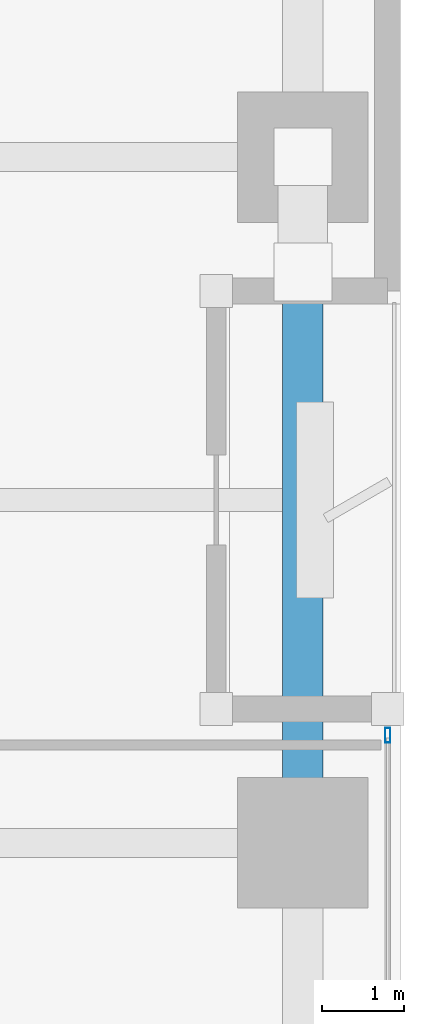
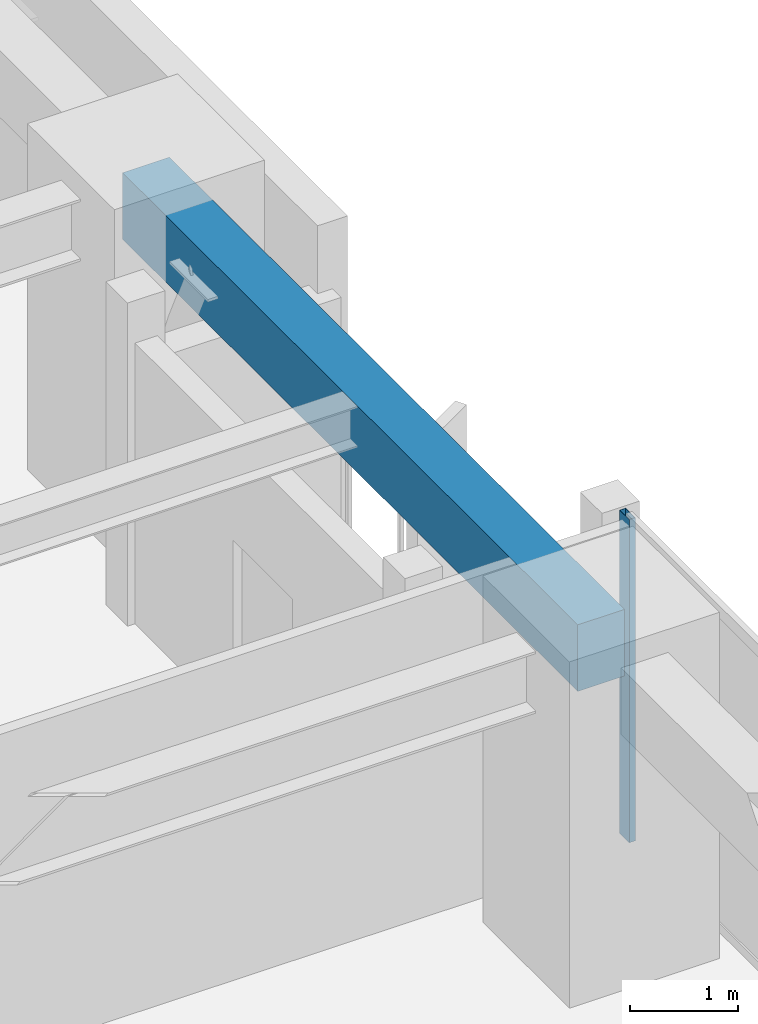
# One storey, part 10 of 28: 1 beam, 1 member, 1 element without a shape of its own.
"""IFC4 building model written with IfcOpenShell, lengths in metres."""

from ifc_helpers import new_model, si_unit, direction, frame, origin, origin_2d, place, context, subcontext, project, spatial, rectangle, hollow_rectangle, extrude, material, layer, layer_set, material_profile, profile_set, type_object, element, aggregate, save


model = new_model("IFC4")

# Units and contexts
model_context = context("Model", 3, precision=1e-05, world=origin(), true_north=direction((0.0, 1.0)))
body_context = subcontext(model_context, "Body", "Model", "MODEL_VIEW")
ifc_project = project(units=[si_unit("LENGTHUNIT", "METRE"), si_unit("AREAUNIT", "SQUARE_METRE"), si_unit("VOLUMEUNIT", "CUBIC_METRE"), si_unit("PLANEANGLEUNIT", "RADIAN"), si_unit("MASSUNIT", "GRAM", prefix="KILO")], contexts=[model_context])

# Site, building, storey
site_placement = place(None, origin())
site = spatial("IfcSite", under=ifc_project, at=site_placement, CompositionType="ELEMENT")
building_placement = place(site_placement, origin())
building = spatial("IfcBuilding", under=site, at=building_placement, Name="Kiyonajd Concourse Tower", CompositionType="ELEMENT")
storey_placement = place(building_placement, frame((0.0, 0.0, 41.10009765625)))
storey = spatial("IfcBuildingStorey", under=building, at=storey_placement, Name="L11", CompositionType="ELEMENT", Elevation=41.10009765625)

# Beam
ifc_material_1 = material(Name="Precast concrete C50/60", Category="concrete")
ifc_material_profile_1 = material_profile(ifc_material_1, rectangle(XDim=0.5, YDim=0.75, at=origin_2d()), Name="RCBM-500x750")
ifc_profile_set_1 = profile_set([ifc_material_profile_1], Name="Precast concrete C50/60")
beam_type = type_object("IfcBeamType", Name="BM-SPAN-RC", PredefinedType="SPANDREL", material=ifc_profile_set_1)
beam_placement = place(storey_placement, frame((78.0, 36.0, 3.264892578125), z_axis=(0.0, 1.0, 0.0), x_axis=(-1.0, 0.0, 0.0)))
element("IfcBeam", 1, at=beam_placement, inside=storey, type_object=beam_type, Name="L11 Perimeter Bundled Tube Spandrel", PredefinedType="SPANDREL", context=body_context, shape_type="SweptSolid", body=[
    extrude(rectangle(XDim=0.5, YDim=0.75, at=origin_2d()), origin(), (0.0, 0.0, 1.0), 8.39990234375),
])

# Curtain wall, member
ifc_material_2 = material(Name="Thermally Broken Anodised Aluminium", Category="aluminium")
ifc_layer = layer(ifc_material_2, 0.179931640625)
ifc_layer_set = layer_set([ifc_layer], Name="Thermally Broken Anodised Aluminium")
curtain_wall_type = type_object("IfcCurtainWallType", Name="CW-SYS-02", PredefinedType="NOTDEFINED", material=ifc_layer_set)
curtain_wall_placement = place(storey_placement, origin())
curtain_wall = element("IfcCurtainWall", 2, at=curtain_wall_placement, inside=storey, type_object=curtain_wall_type, Name="L11 Unitised Curtain Wall CW2", PredefinedType="NOTDEFINED")
ifc_material_profile_2 = material_profile(ifc_material_2, hollow_rectangle(XDim=0.06494140625, YDim=0.179931640625, WallThickness=0.00390625, at=origin_2d()), Name="MULL-65x180")
ifc_profile_set_2 = profile_set([ifc_material_profile_2], Name="Thermally Broken Anodised Aluminium")
member_type = type_object("IfcMemberType", Name="MB-CW-MULL1", PredefinedType="MULLION", material=ifc_profile_set_2)
member_placement = place(storey_placement, frame((79.0400390625, 37.3173828125, 0.0), z_axis=(0.0, 0.0, 1.0), x_axis=(1.0, 0.0, 0.0)))
member = element("IfcMember", 3, at=member_placement, type_object=member_type, Name="CW2 mullion 1", PredefinedType="MULLION", context=body_context, shape_type="SweptSolid", body=[
    extrude(hollow_rectangle(XDim=0.06494140625, YDim=0.179931640625, WallThickness=0.00390625, at=origin_2d()), origin(), (0.0, 0.0, 1.0), 3.639892578125),
])
aggregate(curtain_wall, [member])

save(model, "model.ifc")
